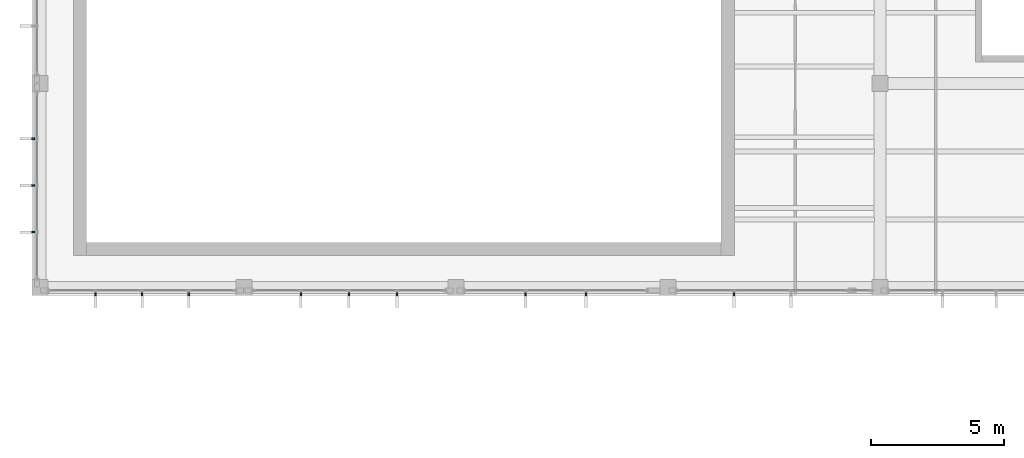
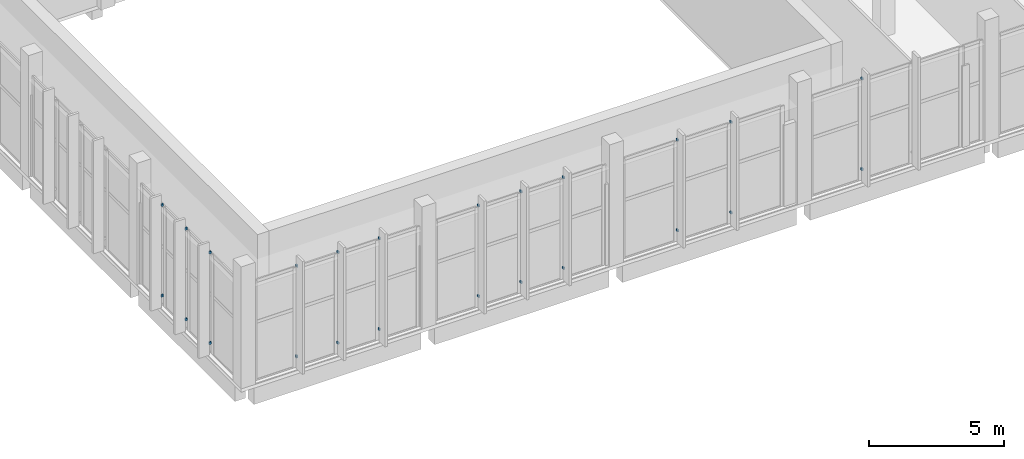
# One storey, part 50 of 87: 24 discrete accessories.
"""IFC4 building model written with IfcOpenShell, lengths in metres."""

from ifc_helpers import new_model, si_unit, direction, frame, origin, origin_2d, place, context, subcontext, project, spatial, rectangle, extrude, material, type_object, element, save


model = new_model("IFC4")

# Units and contexts
model_context = context("Model", 3, precision=1e-05, world=origin(), true_north=direction((0.0, 1.0)))
body_context = subcontext(model_context, "Body", "Model", "MODEL_VIEW")
ifc_project = project(units=[si_unit("LENGTHUNIT", "METRE"), si_unit("AREAUNIT", "SQUARE_METRE"), si_unit("VOLUMEUNIT", "CUBIC_METRE"), si_unit("PLANEANGLEUNIT", "RADIAN"), si_unit("MASSUNIT", "GRAM", prefix="KILO")], contexts=[model_context])

# Site, building, storey
site_placement = place(None, origin())
site = spatial("IfcSite", under=ifc_project, at=site_placement, CompositionType="ELEMENT")
building_placement = place(site_placement, origin())
building = spatial("IfcBuilding", under=site, at=building_placement, Name="Lunette Opera House", CompositionType="ELEMENT")
storey_placement = place(building_placement, frame((0.0, 0.0, 11.5)))
storey = spatial("IfcBuildingStorey", under=building, at=storey_placement, Name="L02", CompositionType="ELEMENT", Elevation=11.5)

# Discrete accessories
ifc_material = material(Name="Galvanised steel", Category="steel")
discrete_accessory_type = type_object("IfcDiscreteAccessoryType", Name="FIN BRACKET STEEL", PredefinedType="BRACKET", material=ifc_material)
for number, where, z_axis, x_axis, name in (
    (1, (8.0419921875, 69.909912109375, 0.56494140625), (0.0, 0.0, 1.0), (-1.0, 0.0, 0.0), "Fin bracket RW-X2034 1 1"),
    (2, (8.0419921875, 69.909912109375, 4.64990234375), (0.0, 0.0, 1.0), (-1.0, 0.0, 0.0), "Fin bracket RW-X2034 1 2"),
    (3, (8.0419921875, 68.14990234375, 0.56494140625), (0.0, 0.0, 1.0), (-1.0, 0.0, 0.0), "Fin bracket RW-X2034 2 1"),
    (4, (8.0419921875, 68.14990234375, 4.64990234375), (0.0, 0.0, 1.0), (-1.0, 0.0, 0.0), "Fin bracket RW-X2034 2 2"),
    (5, (8.0419921875, 66.389892578125, 0.56494140625), (0.0, 0.0, 1.0), (-1.0, 0.0, 0.0), "Fin bracket RW-X2034 3 1"),
    (6, (8.0419921875, 66.389892578125, 4.64990234375), (0.0, 0.0, 1.0), (-1.0, 0.0, 0.0), "Fin bracket RW-X2034 3 2"),
    (7, (10.389892578125, 64.04296875, 0.56494140625), (0.0, 0.0, 1.0), (0.0, -1.0, 0.0), "Fin bracket RW-X2035 1 1"),
    (8, (10.389892578125, 64.04296875, 4.64990234375), (0.0, 0.0, 1.0), (0.0, -1.0, 0.0), "Fin bracket RW-X2035 1 2"),
    (9, (12.14990234375, 64.04296875, 0.56494140625), (0.0, 0.0, 1.0), (0.0, -1.0, 0.0), "Fin bracket RW-X2035 2 1"),
    (10, (12.14990234375, 64.04296875, 4.64990234375), (0.0, 0.0, 1.0), (0.0, -1.0, 0.0), "Fin bracket RW-X2035 2 2"),
    (11, (13.909912109375, 64.04296875, 0.56494140625), (0.0, 0.0, 1.0), (0.0, -1.0, 0.0), "Fin bracket RW-X2035 3 1"),
    (12, (13.909912109375, 64.04296875, 4.64990234375), (0.0, 0.0, 1.0), (0.0, -1.0, 0.0), "Fin bracket RW-X2035 3 2"),
    (13, (18.14208984375, 64.04296875, 0.56494140625), (0.0, 0.0, 1.0), (0.0, -1.0, 0.0), "Fin bracket RW-X2036 1 1"),
    (14, (18.14208984375, 64.04296875, 4.64990234375), (0.0, 0.0, 1.0), (0.0, -1.0, 0.0), "Fin bracket RW-X2036 1 2"),
    (15, (19.952880859375, 64.04296875, 0.56494140625), (0.0, 0.0, 1.0), (0.0, -1.0, 0.0), "Fin bracket RW-X2036 2 1"),
    (16, (19.952880859375, 64.04296875, 4.64990234375), (0.0, 0.0, 1.0), (0.0, -1.0, 0.0), "Fin bracket RW-X2036 2 2"),
    (17, (21.764892578125, 64.04296875, 0.56494140625), (0.0, 0.0, 1.0), (0.0, -1.0, 0.0), "Fin bracket RW-X2036 3 1"),
    (18, (21.764892578125, 64.04296875, 4.64990234375), (0.0, 0.0, 1.0), (0.0, -1.0, 0.0), "Fin bracket RW-X2036 3 2"),
    (19, (26.614013671875, 64.04296875, 0.56494140625), (0.0, 0.0, 1.0), (0.0, -1.0, 0.0), "Fin bracket RW-X2037 1 1"),
    (20, (26.614013671875, 64.04296875, 4.64990234375), (0.0, 0.0, 1.0), (0.0, -1.0, 0.0), "Fin bracket RW-X2037 1 2"),
    (21, (28.89892578125, 64.04296875, 0.56494140625), (0.0, 0.0, 1.0), (0.0, -1.0, 0.0), "Fin bracket RW-X2037 2 1"),
    (22, (28.89892578125, 64.04296875, 4.64990234375), (0.0, 0.0, 1.0), (0.0, -1.0, 0.0), "Fin bracket RW-X2037 2 2"),
    (23, (34.48291015625, 64.04296875, 0.56494140625), (0.0, 0.0, 1.0), (0.0, -1.0, 0.0), "Fin bracket RW-X2038 1 1"),
    (24, (34.48291015625, 64.04296875, 4.64990234375), (0.0, 0.0, 1.0), (0.0, -1.0, 0.0), "Fin bracket RW-X2038 1 2"),
):
    element("IfcDiscreteAccessory", number, at=place(storey_placement, frame(where, z_axis=z_axis, x_axis=x_axis)), inside=storey, type_object=discrete_accessory_type, Name=name, PredefinedType="BRACKET", context=body_context, shape_type="SweptSolid", body=[
        extrude(rectangle(XDim=0.10009765625, YDim=0.06005859375, at=origin_2d()), origin(), (0.0, 0.0, 1.0), 0.10009765625),
    ])

save(model, "model.ifc")
